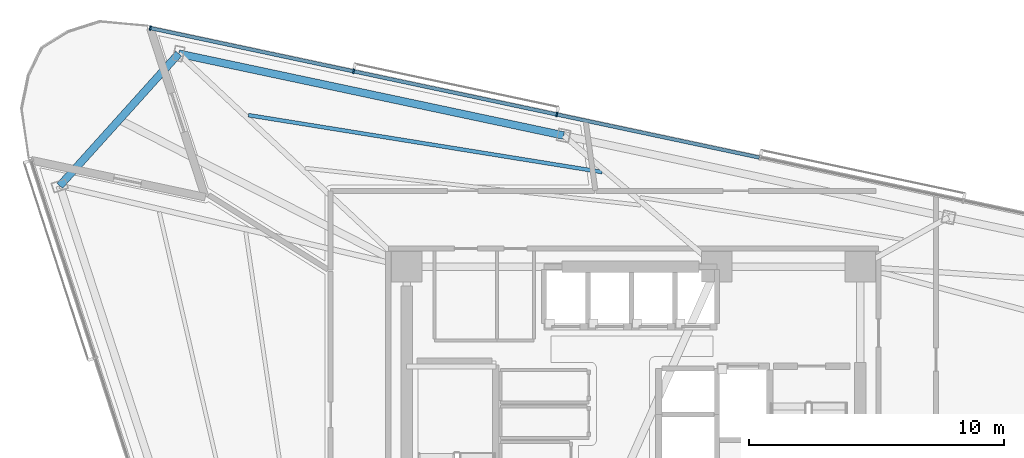
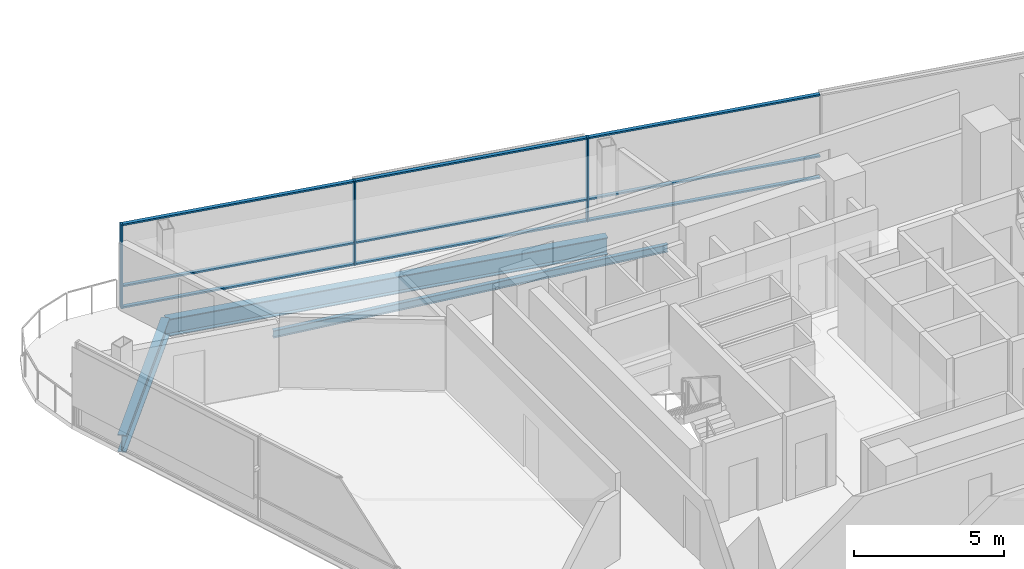
# One storey, part 7 of 17: 12 members, 3 beams, 1 element without a shape of its own.
"""IFC4 building model written with IfcOpenShell, lengths in metres."""

from ifc_helpers import new_model, si_unit, direction, frame, origin, origin_2d, place, context, subcontext, project, spatial, rectangle, i_section, extrude, material, layer, layer_set, material_profile, profile_set, type_object, element, aggregate, save


model = new_model("IFC4")

# Units and contexts
model_context = context("Model", 3, precision=1e-05, world=origin(), true_north=direction((0.0, 1.0)))
body_context = subcontext(model_context, "Body", "Model", "MODEL_VIEW")
ifc_project = project(units=[si_unit("LENGTHUNIT", "METRE"), si_unit("AREAUNIT", "SQUARE_METRE"), si_unit("VOLUMEUNIT", "CUBIC_METRE"), si_unit("PLANEANGLEUNIT", "RADIAN"), si_unit("MASSUNIT", "GRAM", prefix="KILO")], contexts=[model_context])

# Site, building, storey
site_placement = place(None, origin())
site = spatial("IfcSite", under=ifc_project, at=site_placement, CompositionType="ELEMENT")
building_placement = place(site_placement, origin())
building = spatial("IfcBuilding", under=site, at=building_placement, Name="Tharavind Bronze Gate", CompositionType="ELEMENT")
storey_placement = place(building_placement, frame((0.0, 0.0, 207.64990234375)))
storey = spatial("IfcBuildingStorey", under=building, at=storey_placement, Name="L53", CompositionType="ELEMENT", Elevation=207.64990234375)

# Curtain wall, members
ifc_material_1 = material(Name="Anodised Bronze Aluminium", Category="aluminium")
ifc_layer = layer(ifc_material_1, 0.219970703125)
ifc_layer_set = layer_set([ifc_layer], Name="Anodised Bronze Aluminium")
curtain_wall_type = type_object("IfcCurtainWallType", Name="UNITISED CURTAIN WALL MID OFFICE", PredefinedType="USERDEFINED", material=ifc_layer_set)
curtain_wall_placement = place(storey_placement, origin())
curtain_wall = element("IfcCurtainWall", 1, at=curtain_wall_placement, inside=storey, type_object=curtain_wall_type, Name="L53 unitised curtain wall mid office CW-L53-S3", ObjectType="UNITISED CURTAIN WALL", PredefinedType="USERDEFINED")
member_type_1 = type_object("IfcMemberType", Name="CURTAIN WALL BRONZE MULLION 65X180", PredefinedType="MULLION", material=ifc_material_1)
member_1_placement = place(storey_placement, frame((-3.004638671875, 13.576416015625, 0.000244140625), z_axis=(0.0, 0.0, 1.0), x_axis=(-0.978147600734, 0.207911690818, 0.0)))
member_1 = element("IfcMember", 2, at=member_1_placement, type_object=member_type_1, Name="CW-L53-S3 mullion 5", PredefinedType="MULLION", context=body_context, shape_type="SweptSolid", body=[
    extrude(rectangle(XDim=0.06494140625, YDim=0.179931640625, at=origin_2d()), origin(), (0.0, 0.0, 1.0), 3.419921875),
])
member_2_placement = place(storey_placement, frame((-10.982177734375, 15.27197265625, 0.000244140625), z_axis=(0.0, 0.0, 1.0), x_axis=(-0.978147600734, 0.207911690818, 0.0)))
member_2 = element("IfcMember", 3, at=member_2_placement, type_object=member_type_1, Name="CW-L53-S3 mullion 6", PredefinedType="MULLION", context=body_context, shape_type="SweptSolid", body=[
    extrude(rectangle(XDim=0.06494140625, YDim=0.179931640625, at=origin_2d()), origin(), (0.0, 0.0, 1.0), 3.419921875),
])
member_3_placement = place(storey_placement, frame((-18.959716796875, 16.967529296875, 0.000244140625), z_axis=(0.0, 0.0, 1.0), x_axis=(-0.978147600734, 0.207911690818, 0.0)))
member_3 = element("IfcMember", 4, at=member_3_placement, type_object=member_type_1, Name="CW-L53-S3 mullion 7", PredefinedType="MULLION", context=body_context, shape_type="SweptSolid", body=[
    extrude(rectangle(XDim=0.06494140625, YDim=0.179931640625, at=origin_2d()), origin(), (0.0, 0.0, 1.0), 3.419921875),
])
member_type_2 = type_object("IfcMemberType", Name="CURTAIN WALL BRONZE TRANSOM 65X140", PredefinedType="USERDEFINED", material=ifc_material_1)
member_4_placement = place(storey_placement, frame((0.98388671875, 12.728515625, 0.000244140625), z_axis=(0.0, 0.0, 1.0), x_axis=(-0.978147600734, 0.207911690818, 0.0)))
member_4 = element("IfcMember", 5, at=member_4_placement, type_object=member_type_2, Name="CW-L53-S3 transom TB4", ObjectType="TRANSOM", PredefinedType="USERDEFINED", context=body_context, shape_type="SweptSolid", body=[
    extrude(rectangle(XDim=8.102783203125, YDim=0.139892578125, at=origin_2d()), origin(), (0.0, 0.0, 1.0), 0.06494140625),
])
member_5_placement = place(storey_placement, frame((0.98388671875, 12.728515625, 0.86767578125), z_axis=(0.0, 0.0, 1.0), x_axis=(-0.978147600734, 0.207911690818, 0.0)))
member_5 = element("IfcMember", 6, at=member_5_placement, type_object=member_type_2, Name="CW-L53-S3 transom TS4", ObjectType="TRANSOM", PredefinedType="USERDEFINED", context=body_context, shape_type="SweptSolid", body=[
    extrude(rectangle(XDim=8.102783203125, YDim=0.139892578125, at=origin_2d()), origin(), (0.0, 0.0, 1.0), 0.06494140625),
])
member_6_placement = place(storey_placement, frame((0.98388671875, 12.728515625, 3.355224609375), z_axis=(0.0, 0.0, 1.0), x_axis=(-0.978147600734, 0.207911690818, 0.0)))
member_6 = element("IfcMember", 7, at=member_6_placement, type_object=member_type_2, Name="CW-L53-S3 transom TT4", ObjectType="TRANSOM", PredefinedType="USERDEFINED", context=body_context, shape_type="SweptSolid", body=[
    extrude(rectangle(XDim=8.102783203125, YDim=0.139892578125, at=origin_2d()), origin(), (0.0, 0.0, 1.0), 0.06494140625),
])
member_7_placement = place(storey_placement, frame((-6.993408203125, 14.424072265625, 0.000244140625), z_axis=(0.0, 0.0, 1.0), x_axis=(-0.978147600734, 0.207911690818, 0.0)))
member_7 = element("IfcMember", 8, at=member_7_placement, type_object=member_type_2, Name="CW-L53-S3 transom TB5", ObjectType="TRANSOM", PredefinedType="USERDEFINED", context=body_context, shape_type="SweptSolid", body=[
    extrude(rectangle(XDim=8.102783203125, YDim=0.139892578125, at=origin_2d()), origin(), (0.0, 0.0, 1.0), 0.06494140625),
])
member_8_placement = place(storey_placement, frame((-6.993408203125, 14.424072265625, 0.86767578125), z_axis=(0.0, 0.0, 1.0), x_axis=(-0.978147600734, 0.207911690818, 0.0)))
member_8 = element("IfcMember", 9, at=member_8_placement, type_object=member_type_2, Name="CW-L53-S3 transom TS5", ObjectType="TRANSOM", PredefinedType="USERDEFINED", context=body_context, shape_type="SweptSolid", body=[
    extrude(rectangle(XDim=8.102783203125, YDim=0.139892578125, at=origin_2d()), origin(), (0.0, 0.0, 1.0), 0.06494140625),
])
member_9_placement = place(storey_placement, frame((-6.993408203125, 14.424072265625, 3.355224609375), z_axis=(0.0, 0.0, 1.0), x_axis=(-0.978147600734, 0.207911690818, 0.0)))
member_9 = element("IfcMember", 10, at=member_9_placement, type_object=member_type_2, Name="CW-L53-S3 transom TT5", ObjectType="TRANSOM", PredefinedType="USERDEFINED", context=body_context, shape_type="SweptSolid", body=[
    extrude(rectangle(XDim=8.102783203125, YDim=0.139892578125, at=origin_2d()), origin(), (0.0, 0.0, 1.0), 0.06494140625),
])
member_10_placement = place(storey_placement, frame((-14.970947265625, 16.119873046875, 0.000244140625), z_axis=(0.0, 0.0, 1.0), x_axis=(-0.978147600734, 0.207911690818, 0.0)))
member_10 = element("IfcMember", 11, at=member_10_placement, type_object=member_type_2, Name="CW-L53-S3 transom TB6", ObjectType="TRANSOM", PredefinedType="USERDEFINED", context=body_context, shape_type="SweptSolid", body=[
    extrude(rectangle(XDim=8.102783203125, YDim=0.139892578125, at=origin_2d()), origin(), (0.0, 0.0, 1.0), 0.06494140625),
])
member_11_placement = place(storey_placement, frame((-14.970947265625, 16.119873046875, 0.86767578125), z_axis=(0.0, 0.0, 1.0), x_axis=(-0.978147600734, 0.207911690818, 0.0)))
member_11 = element("IfcMember", 12, at=member_11_placement, type_object=member_type_2, Name="CW-L53-S3 transom TS6", ObjectType="TRANSOM", PredefinedType="USERDEFINED", context=body_context, shape_type="SweptSolid", body=[
    extrude(rectangle(XDim=8.102783203125, YDim=0.139892578125, at=origin_2d()), origin(), (0.0, 0.0, 1.0), 0.06494140625),
])
member_12_placement = place(storey_placement, frame((-14.970947265625, 16.119873046875, 3.355224609375), z_axis=(0.0, 0.0, 1.0), x_axis=(-0.978147600734, 0.207911690818, 0.0)))
member_12 = element("IfcMember", 13, at=member_12_placement, type_object=member_type_2, Name="CW-L53-S3 transom TT6", ObjectType="TRANSOM", PredefinedType="USERDEFINED", context=body_context, shape_type="SweptSolid", body=[
    extrude(rectangle(XDim=8.102783203125, YDim=0.139892578125, at=origin_2d()), origin(), (0.0, 0.0, 1.0), 0.06494140625),
])
aggregate(curtain_wall, [member_1, member_2, member_3, member_4, member_5, member_6, member_7, member_8, member_9, member_10, member_11, member_12])

# Beams
ifc_material_2 = material(Name="Steel S355", Category="steel")
ifc_material_profile_1 = material_profile(ifc_material_2, i_section(OverallWidth=0.300048828125, OverallDepth=0.699951171875, WebThickness=0.01708984375, FlangeThickness=0.031982421875, at=origin_2d()), Name="HE700B")
ifc_profile_set_1 = profile_set([ifc_material_profile_1], Name="Steel S355")
beam_type_1 = type_object("IfcBeamType", Name="RING GIRDER HE700B", PredefinedType="USERDEFINED", material=ifc_profile_set_1)
beam_1_placement = place(storey_placement, frame((-2.737060546875, 12.752685546875, -0.52978515625), z_axis=(-0.978148967388, 0.207905261111, 0.0), x_axis=(-0.207905261111, -0.978148967388, 0.0)))
element("IfcBeam", 14, at=beam_1_placement, inside=storey, type_object=beam_type_1, Name="L53 ring girder he700b BM-L53-PRG11", ObjectType="GIRDER", PredefinedType="USERDEFINED", context=body_context, shape_type="SweptSolid", body=[
    extrude(i_section(OverallWidth=0.300048828125, OverallDepth=0.699951171875, WebThickness=0.01708984375, FlangeThickness=0.031982421875, at=origin_2d()), origin(), (0.0, 0.0, 1.0), 15.4453125),
])
beam_2_placement = place(storey_placement, frame((-17.844970703125, 15.9638671875, -0.52978515625), z_axis=(-0.669130909152, -0.743144552841, 0.0), x_axis=(0.743144552841, -0.669130909152, 0.0)))
element("IfcBeam", 15, at=beam_2_placement, inside=storey, type_object=beam_type_1, Name="L53 ring girder he700b BM-L53-PRG12", ObjectType="GIRDER", PredefinedType="USERDEFINED", context=body_context, shape_type="SweptSolid", body=[
    extrude(i_section(OverallWidth=0.300048828125, OverallDepth=0.699951171875, WebThickness=0.01708984375, FlangeThickness=0.031982421875, at=origin_2d()), origin(), (0.0, 0.0, 1.0), 6.979736328125),
])
ifc_material_profile_2 = material_profile(ifc_material_2, i_section(OverallWidth=0.14990234375, OverallDepth=0.300048828125, WebThickness=0.007080078125, FlangeThickness=0.0107421875, at=origin_2d()), Name="IPE300")
ifc_profile_set_2 = profile_set([ifc_material_profile_2], Name="Steel S355")
beam_type_2 = type_object("IfcBeamType", Name="SECONDARY FLOOR JOIST IPE300", PredefinedType="JOIST", material=ifc_profile_set_2)
beam_3_placement = place(storey_placement, frame((-1.224853515625, 11.316650390625, -0.329833984375), z_axis=(-0.987305145712, 0.158834974899, 0.0), x_axis=(-0.158834974899, -0.987305145712, 0.0)))
element("IfcBeam", 16, at=beam_3_placement, inside=storey, type_object=beam_type_2, Name="L53 secondary floor joist ipe300 BM-L53-JSTB11", PredefinedType="JOIST", context=body_context, shape_type="SweptSolid", body=[
    extrude(i_section(OverallWidth=0.14990234375, OverallDepth=0.300048828125, WebThickness=0.007080078125, FlangeThickness=0.0107421875, at=origin_2d()), origin(), (0.0, 0.0, 1.0), 14.0595703125),
])

save(model, "model.ifc")
